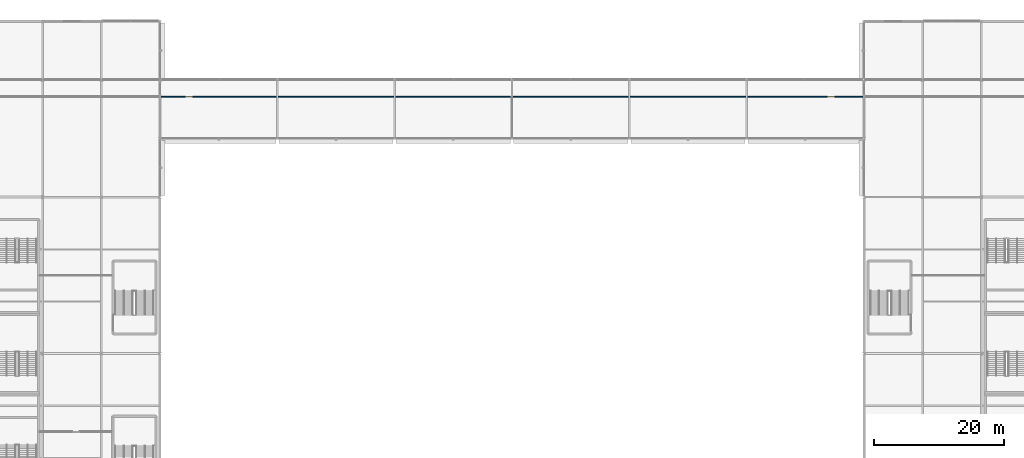
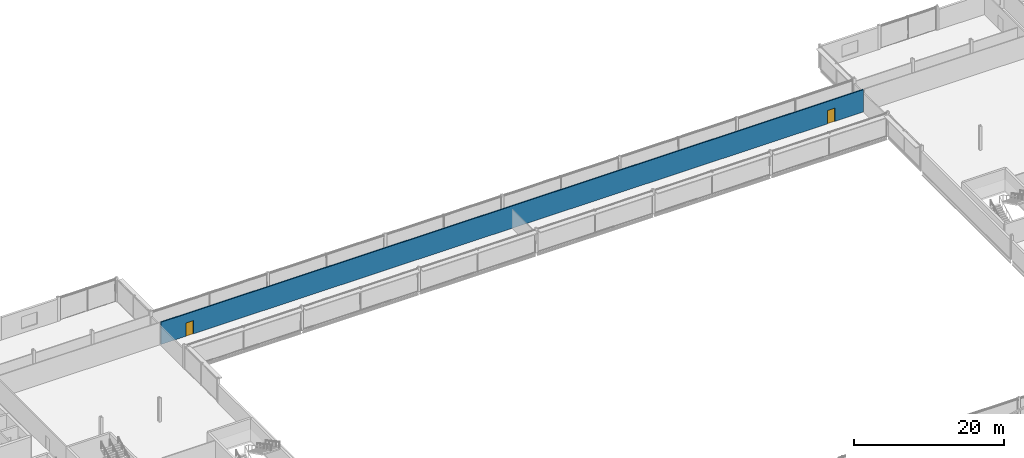
# One storey, part 63 of 98: 2 doors, 1 wall, 2 openings.
"""IFC4 building model written with IfcOpenShell, lengths in metres."""

from ifc_helpers import new_model, si_unit, direction, frame, frame_2d, origin, place, context, subcontext, project, spatial, rectangle, extrude, material, layer, layer_set, type_object, element, fill, save


model = new_model("IFC4")

# Units and contexts
model_context = context("Model", 3, precision=1e-05, world=origin(), true_north=direction((0.0, 1.0)))
body_context = subcontext(model_context, "Body", "Model", "MODEL_VIEW")
ifc_project = project(units=[si_unit("LENGTHUNIT", "METRE"), si_unit("AREAUNIT", "SQUARE_METRE"), si_unit("VOLUMEUNIT", "CUBIC_METRE"), si_unit("PLANEANGLEUNIT", "RADIAN"), si_unit("MASSUNIT", "GRAM", prefix="KILO")], contexts=[model_context])

# Site, building, storey
site_placement = place(None, origin())
site = spatial("IfcSite", under=ifc_project, at=site_placement, CompositionType="ELEMENT")
building_placement = place(site_placement, origin())
building = spatial("IfcBuilding", under=site, at=building_placement, Name="Kisiwana Market Hall", CompositionType="ELEMENT")
storey_placement = place(building_placement, frame((0.0, 0.0, 29.39990234375)))
storey = spatial("IfcBuildingStorey", under=building, at=storey_placement, Name="L06", CompositionType="ELEMENT", Elevation=29.39990234375)

# Wall, openings, doors
ifc_material_1 = material(Name="Masonry blockwork", Category="masonry")
ifc_layer = layer(ifc_material_1, 0.169921875, Name="Protected corridor partition")
ifc_layer_set = layer_set([ifc_layer], Name="WL-CORR-170")
wall_type = type_object("IfcWallType", Name="WL-CORR-170", PredefinedType="PARTITIONING", material=ifc_layer_set)
wall_placement = place(storey_placement, frame((45.0849609375, 99.39990234375, 0.0), z_axis=(0.0, 0.0, 1.0), x_axis=(1.0, 0.0, 0.0)))
wall = element("IfcWall", 1, at=wall_placement, inside=storey, type_object=wall_type, Name="Interior partition W-2077", PredefinedType="PARTITIONING", context=body_context, shape_type="SweptSolid", body=[
    extrude(rectangle(XDim=107.830078125, YDim=0.169921875, at=frame_2d((53.9150390625, 0.0))), origin(), (0.0, 0.0, 1.0), 3.6201171875),
])
opening_1_placement = place(wall_placement, frame((3.800048828125, 0.0, 0.0)))
opening_1 = element("IfcOpeningElement", 2, at=opening_1_placement, cuts=wall, Name="Opening DR-L06-067", PredefinedType="OPENING", context=body_context, shape_type="SweptSolid", body=[
    extrude(rectangle(XDim=1.14990234375, YDim=2.14990234375, at=frame_2d((0.574951171875, 1.074951171875))), frame((0.0, 0.096923828125, 0.0), z_axis=(0.0, -1.0, 0.0), x_axis=(1.0, 0.0, 0.0)), (0.0, 0.0, 1.0), 0.19384765625),
])
opening_2_placement = place(wall_placement, frame((102.300048828125, 0.0, 0.0)))
opening_2 = element("IfcOpeningElement", 3, at=opening_2_placement, cuts=wall, Name="Opening DR-L06-068", PredefinedType="OPENING", context=body_context, shape_type="SweptSolid", body=[
    extrude(rectangle(XDim=1.14990234375, YDim=2.14990234375, at=frame_2d((0.574951171875, 1.074951171875))), frame((0.0, 0.096923828125, 0.0), z_axis=(0.0, -1.0, 0.0), x_axis=(1.0, 0.0, 0.0)), (0.0, 0.0, 1.0), 0.19384765625),
])
ifc_material_2 = material(Name="Aluminium alloy 6063-T6", Category="aluminium")
door_type = type_object("IfcDoorType", Name="DR-MEET-1150", OperationType="NOTDEFINED", PredefinedType="DOOR", material=ifc_material_2)
door_1_placement = place(opening_1_placement, frame((1.14990234375, 0.0, 0.0), z_axis=(0.0, 0.0, 1.0), x_axis=(-1.0, 0.0, 0.0)))
door_1 = element("IfcDoor", 4, at=door_1_placement, inside=storey, type_object=door_type, Name="L06 Skybridge N1 Door", OperationType="SINGLE_SWING_RIGHT", OverallHeight=2.14990234375, OverallWidth=1.14990234375, PredefinedType="DOOR", context=body_context, shape_type="SweptSolid", body=[
    extrude(rectangle(XDim=1.14990234375, YDim=2.14990234375, at=frame_2d((0.574951171875, 1.074951171875))), frame((0.0, 0.02490234375, 0.0), z_axis=(0.0, -1.0, 0.0), x_axis=(1.0, 0.0, 0.0)), (0.0, 0.0, 1.0), 0.050048828125),
])
fill(opening_1, door_1)
door_2_placement = place(opening_2_placement, frame((1.14990234375, 0.0, 0.0), z_axis=(0.0, 0.0, 1.0), x_axis=(-1.0, 0.0, 0.0)))
door_2 = element("IfcDoor", 5, at=door_2_placement, inside=storey, type_object=door_type, Name="L06 Skybridge N2 Door", OperationType="SINGLE_SWING_LEFT", OverallHeight=2.14990234375, OverallWidth=1.14990234375, PredefinedType="DOOR", context=body_context, shape_type="SweptSolid", body=[
    extrude(rectangle(XDim=1.14990234375, YDim=2.14990234375, at=frame_2d((0.574951171875, 1.074951171875))), frame((0.0, 0.02490234375, 0.0), z_axis=(0.0, -1.0, 0.0), x_axis=(1.0, 0.0, 0.0)), (0.0, 0.0, 1.0), 0.050048828125),
])
fill(opening_2, door_2)

save(model, "model.ifc")
